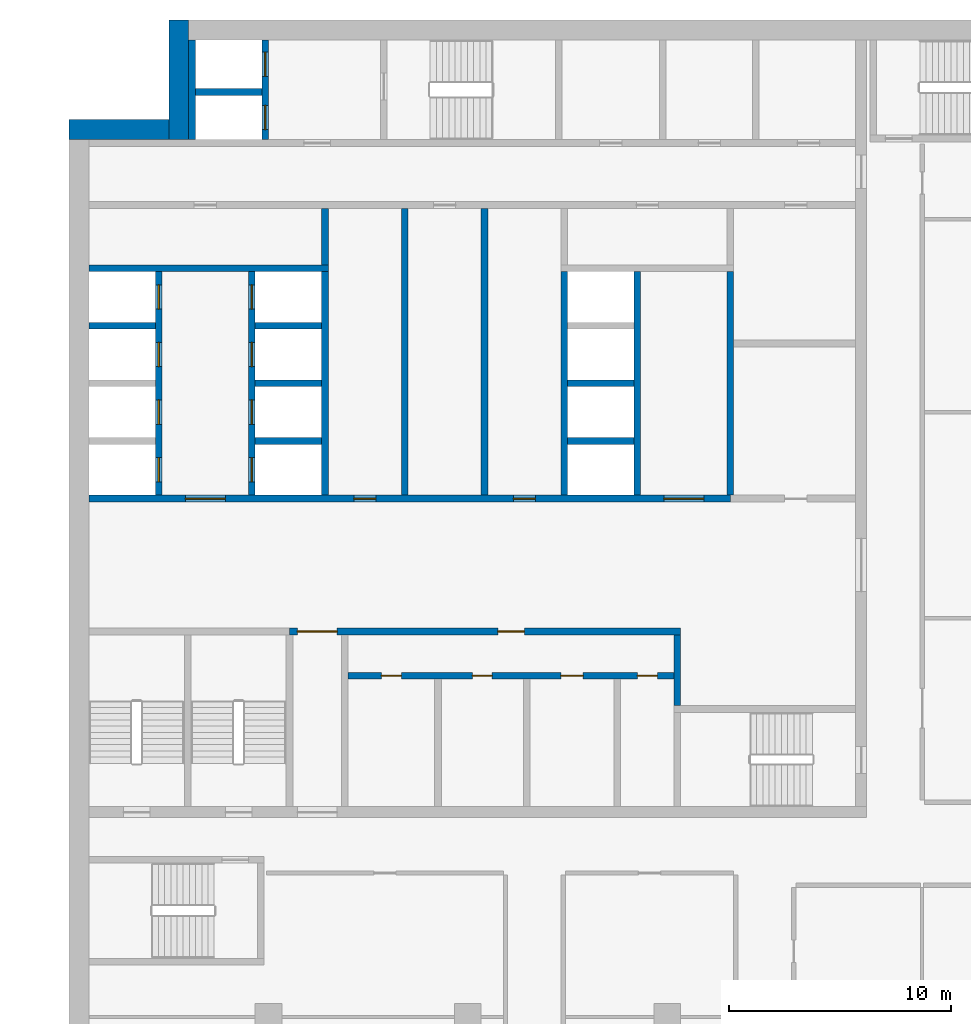
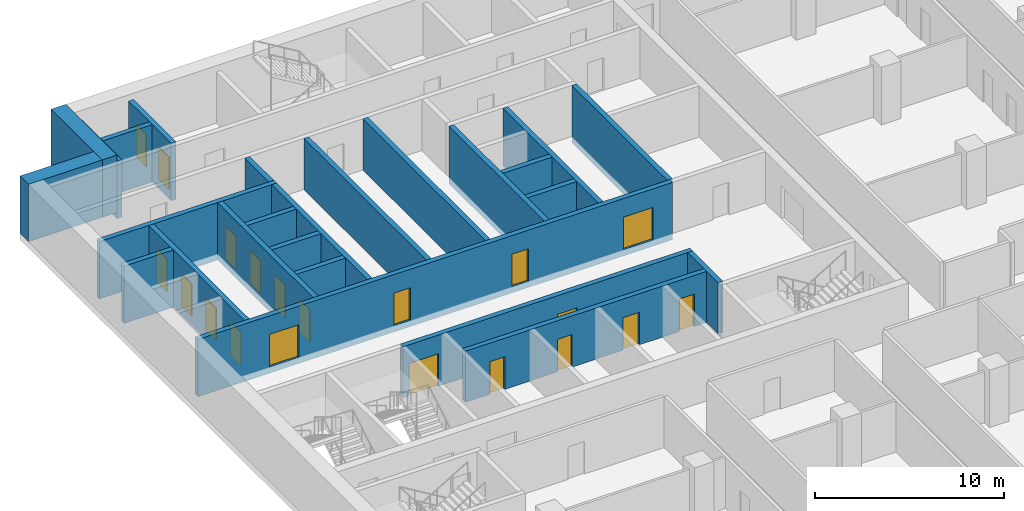
# One storey, part 13 of 23: 25 walls, 20 doors, 20 openings.
"""IFC4 building model written with IfcOpenShell, lengths in metres."""

from ifc_helpers import new_model, si_unit, direction, frame, frame_2d, origin, place, context, subcontext, project, spatial, rectangle, extrude, material, layer, layer_set, type_object, element, fill, save


model = new_model("IFC4")

# Units and contexts
model_context = context("Model", 3, precision=1e-05, world=origin(), true_north=direction((0.0, 1.0)))
body_context = subcontext(model_context, "Body", "Model", "MODEL_VIEW")
ifc_project = project(units=[si_unit("LENGTHUNIT", "METRE"), si_unit("AREAUNIT", "SQUARE_METRE"), si_unit("VOLUMEUNIT", "CUBIC_METRE"), si_unit("PLANEANGLEUNIT", "RADIAN"), si_unit("MASSUNIT", "GRAM", prefix="KILO")], contexts=[model_context])

# Site, building, storey
site_placement = place(None, origin())
site = spatial("IfcSite", under=ifc_project, at=site_placement, CompositionType="ELEMENT")
building_placement = place(site_placement, origin())
building = spatial("IfcBuilding", under=site, at=building_placement, Name="Hunhe Ridgeline Campus", CompositionType="ELEMENT")
storey_placement = place(building_placement, frame((0.0, 0.0, 144.89990234375)))
storey = spatial("IfcBuildingStorey", under=building, at=storey_placement, Name="L36", CompositionType="ELEMENT", Elevation=144.89990234375)

# Wall, openings, doors
ifc_material_1 = material(Name="Masonry concrete blockwork", Category="masonry")
ifc_layer_1 = layer(ifc_material_1, 0.300048828125)
ifc_layer_set_1 = layer_set([ifc_layer_1], Name="Core room partition 300 concrete block")
wall_type_1 = type_object("IfcWallType", Name="Core room partition 300 concrete block", PredefinedType="PARTITIONING", material=ifc_layer_set_1)
wall_1_placement = place(storey_placement, frame((12.60009765625, 69.39990234375, 0.0), z_axis=(0.0, 0.0, 1.0), x_axis=(1.0, 0.0, 0.0)))
wall_1 = element("IfcWall", 1, at=wall_1_placement, inside=storey, type_object=wall_type_1, Name="L36 core partition 9", PredefinedType="PARTITIONING", context=body_context, shape_type="SweptSolid", body=[
    extrude(rectangle(XDim=14.699951171875, YDim=0.300048828125, at=frame_2d((7.35009765625, 0.0))), origin(), (0.0, 0.0, 1.0), 3.300048828125),
])
opening_1_placement = place(wall_1_placement, frame((1.5, 0.0, 0.0)))
opening_1 = element("IfcOpeningElement", 2, at=opening_1_placement, cuts=wall_1, Name="Opening CD8", PredefinedType="OPENING", context=body_context, shape_type="SweptSolid", body=[
    extrude(rectangle(XDim=0.89990234375, YDim=2.10009765625, at=frame_2d((0.449951171875, 1.050048828125))), frame((0.0, 0.14990234375, 0.0), z_axis=(0.0, -1.0, 0.0), x_axis=(1.0, 0.0, 0.0)), (0.0, 0.0, 1.0), 0.300048828125),
])
opening_2_placement = place(wall_1_placement, frame((5.60009765625, 0.0, 0.0)))
opening_2 = element("IfcOpeningElement", 3, at=opening_2_placement, cuts=wall_1, Name="Opening CD9", PredefinedType="OPENING", context=body_context, shape_type="SweptSolid", body=[
    extrude(rectangle(XDim=0.89990234375, YDim=2.10009765625, at=frame_2d((0.449951171875, 1.050048828125))), frame((0.0, 0.14990234375, 0.0), z_axis=(0.0, -1.0, 0.0), x_axis=(1.0, 0.0, 0.0)), (0.0, 0.0, 1.0), 0.300048828125),
])
opening_3_placement = place(wall_1_placement, frame((9.60009765625, 0.0, 0.0)))
opening_3 = element("IfcOpeningElement", 4, at=opening_3_placement, cuts=wall_1, Name="Opening CD10", PredefinedType="OPENING", context=body_context, shape_type="SweptSolid", body=[
    extrude(rectangle(XDim=1.0, YDim=2.10009765625, at=frame_2d((0.5, 1.050048828125))), frame((0.0, 0.14990234375, 0.0), z_axis=(0.0, -1.0, 0.0), x_axis=(1.0, 0.0, 0.0)), (0.0, 0.0, 1.0), 0.300048828125),
])
opening_4_placement = place(wall_1_placement, frame((13.050048828125, 0.0, 0.0)))
opening_4 = element("IfcOpeningElement", 5, at=opening_4_placement, cuts=wall_1, Name="Opening CD11", PredefinedType="OPENING", context=body_context, shape_type="SweptSolid", body=[
    extrude(rectangle(XDim=0.89990234375, YDim=2.10009765625, at=frame_2d((0.449951171875, 1.050048828125))), frame((0.0, 0.14990234375, 0.0), z_axis=(0.0, -1.0, 0.0), x_axis=(1.0, 0.0, 0.0)), (0.0, 0.0, 1.0), 0.300048828125),
])
ifc_material_2 = material(Name="Solid core timber door leaf", Category="wood")
door_type_1 = type_object("IfcDoorType", Name="Timber door 1000x2100", OperationType="SINGLE_SWING_LEFT", PredefinedType="DOOR", material=ifc_material_2)
door_1_placement = place(opening_3_placement, frame((1.0, 0.0, 0.0), z_axis=(0.0, 0.0, 1.0), x_axis=(-1.0, 0.0, 0.0)))
door_1 = element("IfcDoor", 6, at=door_1_placement, inside=storey, type_object=door_type_1, Name="L36 door WC3", OperationType="SINGLE_SWING_RIGHT", OverallHeight=2.10009765625, OverallWidth=1.0, PredefinedType="DOOR", context=body_context, shape_type="SweptSolid", body=[
    extrude(rectangle(XDim=1.0, YDim=2.10009765625, at=frame_2d((0.5, 1.050048828125))), frame((0.0, 0.02490234375, 0.0), z_axis=(0.0, -1.0, 0.0), x_axis=(1.0, 0.0, 0.0)), (0.0, 0.0, 1.0), 0.050048828125),
])
fill(opening_3, door_1)
door_type_2 = type_object("IfcDoorType", Name="Timber door 900x2100", OperationType="SINGLE_SWING_LEFT", PredefinedType="DOOR", material=ifc_material_2)
door_2_placement = place(opening_1_placement, frame((0.89990234375, 0.0, 0.0), z_axis=(0.0, 0.0, 1.0), x_axis=(-1.0, 0.0, 0.0)))
door_2 = element("IfcDoor", 7, at=door_2_placement, inside=storey, type_object=door_type_2, Name="L36 door WC1", OperationType="SINGLE_SWING_RIGHT", OverallHeight=2.10009765625, OverallWidth=0.89990234375, PredefinedType="DOOR", context=body_context, shape_type="SweptSolid", body=[
    extrude(rectangle(XDim=0.89990234375, YDim=2.10009765625, at=frame_2d((0.449951171875, 1.050048828125))), frame((0.0, 0.02490234375, 0.0), z_axis=(0.0, -1.0, 0.0), x_axis=(1.0, 0.0, 0.0)), (0.0, 0.0, 1.0), 0.050048828125),
])
fill(opening_1, door_2)
door_3_placement = place(opening_2_placement, frame((0.89990234375, 0.0, 0.0), z_axis=(0.0, 0.0, 1.0), x_axis=(-1.0, 0.0, 0.0)))
door_3 = element("IfcDoor", 8, at=door_3_placement, inside=storey, type_object=door_type_2, Name="L36 door WC2", OperationType="SINGLE_SWING_LEFT", OverallHeight=2.10009765625, OverallWidth=0.89990234375, PredefinedType="DOOR", context=body_context, shape_type="SweptSolid", body=[
    extrude(rectangle(XDim=0.89990234375, YDim=2.10009765625, at=frame_2d((0.449951171875, 1.050048828125))), frame((0.0, 0.02490234375, 0.0), z_axis=(0.0, -1.0, 0.0), x_axis=(1.0, 0.0, 0.0)), (0.0, 0.0, 1.0), 0.050048828125),
])
fill(opening_2, door_3)
door_4_placement = place(opening_4_placement, frame((0.89990234375, 0.0, 0.0), z_axis=(0.0, 0.0, 1.0), x_axis=(-1.0, 0.0, 0.0)))
door_4 = element("IfcDoor", 9, at=door_4_placement, inside=storey, type_object=door_type_2, Name="L36 door WC4", OperationType="SINGLE_SWING_LEFT", OverallHeight=2.10009765625, OverallWidth=0.89990234375, PredefinedType="DOOR", context=body_context, shape_type="SweptSolid", body=[
    extrude(rectangle(XDim=0.89990234375, YDim=2.10009765625, at=frame_2d((0.449951171875, 1.050048828125))), frame((0.0, 0.02490234375, 0.0), z_axis=(0.0, -1.0, 0.0), x_axis=(1.0, 0.0, 0.0)), (0.0, 0.0, 1.0), 0.050048828125),
])
fill(opening_4, door_4)

wall_2_placement = place(storey_placement, frame((9.949951171875, 71.39990234375, 0.0), z_axis=(0.0, 0.0, 1.0), x_axis=(1.0, 0.0, 0.0)))
wall_2 = element("IfcWall", 10, at=wall_2_placement, inside=storey, type_object=wall_type_1, Name="L36 core partition 11", PredefinedType="PARTITIONING", context=body_context, shape_type="SweptSolid", body=[
    extrude(rectangle(XDim=17.650146484375, YDim=0.300048828125, at=frame_2d((8.8251953125, 0.0))), origin(), (0.0, 0.0, 1.0), 3.300048828125),
])
opening_5_placement = place(wall_2_placement, frame((0.35009765625, 0.0, 0.0)))
opening_5 = element("IfcOpeningElement", 11, at=opening_5_placement, cuts=wall_2, Name="Opening CD7", PredefinedType="OPENING", context=body_context, shape_type="SweptSolid", body=[
    extrude(rectangle(XDim=1.800048828125, YDim=2.10009765625, at=frame_2d((0.89990234375, 1.050048828125))), frame((0.0, 0.14990234375, 0.0), z_axis=(0.0, -1.0, 0.0), x_axis=(1.0, 0.0, 0.0)), (0.0, 0.0, 1.0), 0.300048828125),
])
opening_6_placement = place(wall_2_placement, frame((9.39990234375, 0.0, 0.0)))
opening_6 = element("IfcOpeningElement", 12, at=opening_6_placement, cuts=wall_2, Name="Opening CD12", PredefinedType="OPENING", context=body_context, shape_type="SweptSolid", body=[
    extrude(rectangle(XDim=1.199951171875, YDim=2.10009765625, at=frame_2d((0.60009765625, 1.050048828125))), frame((0.0, 0.14990234375, 0.0), z_axis=(0.0, -1.0, 0.0), x_axis=(1.0, 0.0, 0.0)), (0.0, 0.0, 1.0), 0.300048828125),
])
ifc_material_3 = material(Name="Anodised aluminium and glass", Category="aluminium")
door_type_3 = type_object("IfcDoorType", Name="Glazed double door 1800x2100", OperationType="DOUBLE_DOOR_SINGLE_SWING", PredefinedType="DOOR", material=ifc_material_3)
door_5_placement = place(opening_5_placement, origin())
door_5 = element("IfcDoor", 13, at=door_5_placement, inside=storey, type_object=door_type_3, Name="L36 door VEST-HALL", OperationType="DOUBLE_DOOR_SINGLE_SWING", OverallHeight=2.10009765625, OverallWidth=1.800048828125, PredefinedType="DOOR", context=body_context, shape_type="SweptSolid", body=[
    extrude(rectangle(XDim=1.800048828125, YDim=2.10009765625, at=frame_2d((0.89990234375, 1.050048828125))), frame((0.0, 0.02490234375, 0.0), z_axis=(0.0, -1.0, 0.0), x_axis=(1.0, 0.0, 0.0)), (0.0, 0.0, 1.0), 0.050048828125),
])
fill(opening_5, door_5)
door_type_4 = type_object("IfcDoorType", Name="Timber door 1200x2100", OperationType="SINGLE_SWING_LEFT", PredefinedType="DOOR", material=ifc_material_2)
door_6_placement = place(opening_6_placement, origin())
door_6 = element("IfcDoor", 14, at=door_6_placement, inside=storey, type_object=door_type_4, Name="L36 door WCL2-HALL", OperationType="SINGLE_SWING_LEFT", OverallHeight=2.10009765625, OverallWidth=1.199951171875, PredefinedType="DOOR", context=body_context, shape_type="SweptSolid", body=[
    extrude(rectangle(XDim=1.199951171875, YDim=2.10009765625, at=frame_2d((0.60009765625, 1.050048828125))), frame((0.0, 0.02490234375, 0.0), z_axis=(0.0, -1.0, 0.0), x_axis=(1.0, 0.0, 0.0)), (0.0, 0.0, 1.0), 0.050048828125),
])
fill(opening_6, door_6)

# Walls
wall_3_placement = place(storey_placement, frame((11.550048828125, 87.949951171875, 0.0), z_axis=(0.0, 0.0, 1.0), x_axis=(0.0, 1.0, 0.0)))
element("IfcWall", 15, at=wall_3_placement, inside=storey, type_object=wall_type_1, Name="L36 core partition 40", PredefinedType="PARTITIONING", context=body_context, shape_type="SweptSolid", body=[
    extrude(rectangle(XDim=2.550048828125, YDim=0.300048828125, at=frame_2d((1.27490234375, 0.0))), origin(), (0.0, 0.0, 1.0), 3.300048828125),
])
for number, where, z_axis, x_axis, name in (
    (16, (15.14990234375, 77.550048828125, 0.0), (0.0, 0.0, 1.0), (0.0, 1.0, 0.0), "L36 core partition 43"),
    (17, (18.75, 77.550048828125, 0.0), (0.0, 0.0, 1.0), (0.0, 1.0, 0.0), "L36 core partition 45"),
):
    element("IfcWall", number, at=place(storey_placement, frame(where, z_axis=z_axis, x_axis=x_axis)), inside=storey, type_object=wall_type_1, Name=name, PredefinedType="PARTITIONING", context=body_context, shape_type="SweptSolid", body=[
        extrude(rectangle(XDim=12.949951171875, YDim=0.300048828125, at=frame_2d((6.47509765625, 0.0))), origin(), (0.0, 0.0, 1.0), 3.300048828125),
    ])
wall_4_placement = place(storey_placement, frame((27.449951171875, 68.050048828125, 0.0), z_axis=(0.0, 0.0, 1.0), x_axis=(0.0, 1.0, 0.0)))
element("IfcWall", 18, at=wall_4_placement, inside=storey, type_object=wall_type_1, Name="L36 core partition 56", PredefinedType="PARTITIONING", context=body_context, shape_type="SweptSolid", body=[
    extrude(rectangle(XDim=3.199951171875, YDim=0.300048828125, at=frame_2d((1.60009765625, 0.0))), origin(), (0.0, 0.0, 1.0), 3.300048828125),
])
ifc_material_4 = material(Name="Concrete C70", Category="concrete")
ifc_layer_2 = layer(ifc_material_4, 0.300048828125)
ifc_layer_set_2 = layer_set([ifc_layer_2], Name="Lobby wall 300 reinforced concrete C70")
wall_type_2 = type_object("IfcWallType", Name="Lobby wall 300 reinforced concrete C70", PredefinedType="SOLIDWALL", material=ifc_layer_set_2)
wall_5_placement = place(storey_placement, frame((29.85009765625, 77.550048828125, -0.39990234375), z_axis=(0.0, 0.0, 1.0), x_axis=(0.0, 1.0, 0.0)))
element("IfcWall", 19, at=wall_5_placement, inside=storey, type_object=wall_type_2, Name="L36 core wall 57", PredefinedType="SOLIDWALL", context=body_context, shape_type="SweptSolid", body=[
    extrude(rectangle(XDim=10.099853515625, YDim=0.300048828125, at=frame_2d((5.0498046875, 0.0))), origin(), (0.0, 0.0, 1.0), 3.699951171875),
])

# Wall, openings, doors
ifc_layer_3 = layer(ifc_material_4, 0.300048828125)
ifc_layer_set_3 = layer_set([ifc_layer_3], Name="Shaft wall 300 reinforced concrete C70")
wall_type_3 = type_object("IfcWallType", Name="Shaft wall 300 reinforced concrete C70", PredefinedType="SOLIDWALL", material=ifc_layer_set_3)
wall_6_placement = place(storey_placement, frame((0.89990234375, 77.39990234375, -0.39990234375), z_axis=(0.0, 0.0, 1.0), x_axis=(1.0, 0.0, 0.0)))
wall_6 = element("IfcWall", 20, at=wall_6_placement, inside=storey, type_object=wall_type_3, Name="L36 core wall 12", PredefinedType="SOLIDWALL", context=body_context, shape_type="SweptSolid", body=[
    extrude(rectangle(XDim=28.9501953125, YDim=0.300048828125, at=frame_2d((14.47509765625, 0.0))), origin(), (0.0, 0.0, 1.0), 3.699951171875),
])
opening_7_placement = place(wall_6_placement, frame((4.35009765625, 0.0, 0.39990234375)))
opening_7 = element("IfcOpeningElement", 21, at=opening_7_placement, cuts=wall_6, Name="Opening CD1", PredefinedType="OPENING", context=body_context, shape_type="SweptSolid", body=[
    extrude(rectangle(XDim=1.800048828125, YDim=2.10009765625, at=frame_2d((0.89990234375, 1.050048828125))), frame((0.0, 0.14990234375, 0.0), z_axis=(0.0, -1.0, 0.0), x_axis=(1.0, 0.0, 0.0)), (0.0, 0.0, 1.0), 0.300048828125),
])
opening_8_placement = place(wall_6_placement, frame((25.949951171875, 0.0, 0.39990234375)))
opening_8 = element("IfcOpeningElement", 22, at=opening_8_placement, cuts=wall_6, Name="Opening CD2", PredefinedType="OPENING", context=body_context, shape_type="SweptSolid", body=[
    extrude(rectangle(XDim=1.800048828125, YDim=2.10009765625, at=frame_2d((0.89990234375, 1.050048828125))), frame((0.0, 0.14990234375, 0.0), z_axis=(0.0, -1.0, 0.0), x_axis=(1.0, 0.0, 0.0)), (0.0, 0.0, 1.0), 0.300048828125),
])
opening_9_placement = place(wall_6_placement, frame((11.949951171875, 0.0, 0.39990234375)))
opening_9 = element("IfcOpeningElement", 23, at=opening_9_placement, cuts=wall_6, Name="Opening CD28", PredefinedType="OPENING", context=body_context, shape_type="SweptSolid", body=[
    extrude(rectangle(XDim=1.0, YDim=2.10009765625, at=frame_2d((0.5, 1.050048828125))), frame((0.0, 0.14990234375, 0.0), z_axis=(0.0, -1.0, 0.0), x_axis=(1.0, 0.0, 0.0)), (0.0, 0.0, 1.0), 0.300048828125),
])
opening_10_placement = place(wall_6_placement, frame((19.14990234375, 0.0, 0.39990234375)))
opening_10 = element("IfcOpeningElement", 24, at=opening_10_placement, cuts=wall_6, Name="Opening CD30", PredefinedType="OPENING", context=body_context, shape_type="SweptSolid", body=[
    extrude(rectangle(XDim=1.0, YDim=2.10009765625, at=frame_2d((0.5, 1.050048828125))), frame((0.0, 0.14990234375, 0.0), z_axis=(0.0, -1.0, 0.0), x_axis=(1.0, 0.0, 0.0)), (0.0, 0.0, 1.0), 0.300048828125),
])
ifc_material_5 = material(Name="Hollow metal fire door leaf")
door_type_5 = type_object("IfcDoorType", Name="Lobby door 1800x2100 FD60", OperationType="SINGLE_SWING_LEFT", PredefinedType="DOOR", material=ifc_material_5)
door_7_placement = place(opening_7_placement, frame((1.800048828125, 0.0, 0.0), z_axis=(0.0, 0.0, 1.0), x_axis=(-1.0, 0.0, 0.0)))
door_7 = element("IfcDoor", 25, at=door_7_placement, inside=storey, type_object=door_type_5, Name="L36 door LOB-LR", OperationType="SINGLE_SWING_RIGHT", OverallHeight=2.10009765625, OverallWidth=1.800048828125, PredefinedType="DOOR", context=body_context, shape_type="SweptSolid", body=[
    extrude(rectangle(XDim=1.800048828125, YDim=2.10009765625, at=frame_2d((0.89990234375, 1.050048828125))), frame((0.0, 0.02490234375, 0.0), z_axis=(0.0, -1.0, 0.0), x_axis=(1.0, 0.0, 0.0)), (0.0, 0.0, 1.0), 0.050048828125),
])
fill(opening_7, door_7)
door_8_placement = place(opening_8_placement, frame((1.800048828125, 0.0, 0.0), z_axis=(0.0, 0.0, 1.0), x_axis=(-1.0, 0.0, 0.0)))
door_8 = element("IfcDoor", 26, at=door_8_placement, inside=storey, type_object=door_type_5, Name="L36 door LOB-SH", OperationType="SINGLE_SWING_LEFT", OverallHeight=2.10009765625, OverallWidth=1.800048828125, PredefinedType="DOOR", context=body_context, shape_type="SweptSolid", body=[
    extrude(rectangle(XDim=1.800048828125, YDim=2.10009765625, at=frame_2d((0.89990234375, 1.050048828125))), frame((0.0, 0.02490234375, 0.0), z_axis=(0.0, -1.0, 0.0), x_axis=(1.0, 0.0, 0.0)), (0.0, 0.0, 1.0), 0.050048828125),
])
fill(opening_8, door_8)
door_9_placement = place(opening_9_placement, origin())
door_9 = element("IfcDoor", 27, at=door_9_placement, inside=storey, type_object=door_type_1, Name="L36 door VD-HR0", OperationType="SINGLE_SWING_RIGHT", OverallHeight=2.10009765625, OverallWidth=1.0, PredefinedType="DOOR", context=body_context, shape_type="SweptSolid", body=[
    extrude(rectangle(XDim=1.0, YDim=2.10009765625, at=frame_2d((0.5, 1.050048828125))), frame((0.0, 0.02490234375, 0.0), z_axis=(0.0, -1.0, 0.0), x_axis=(1.0, 0.0, 0.0)), (0.0, 0.0, 1.0), 0.050048828125),
])
fill(opening_9, door_9)
door_10_placement = place(opening_10_placement, origin())
door_10 = element("IfcDoor", 28, at=door_10_placement, inside=storey, type_object=door_type_1, Name="L36 door VD-HR2", OperationType="SINGLE_SWING_RIGHT", OverallHeight=2.10009765625, OverallWidth=1.0, PredefinedType="DOOR", context=body_context, shape_type="SweptSolid", body=[
    extrude(rectangle(XDim=1.0, YDim=2.10009765625, at=frame_2d((0.5, 1.050048828125))), frame((0.0, 0.02490234375, 0.0), z_axis=(0.0, -1.0, 0.0), x_axis=(1.0, 0.0, 0.0)), (0.0, 0.0, 1.0), 0.050048828125),
])
fill(opening_10, door_10)

# Walls
for number, where, z_axis, x_axis, name in (
    (29, (8.39990234375, 80.0, -0.39990234375), (0.0, 0.0, 1.0), (1.0, 0.0, 0.0), "L36 core wall 15"),
    (30, (22.5, 80.0, -0.39990234375), (0.0, 0.0, 1.0), (1.0, 0.0, 0.0), "L36 core wall 16"),
    (31, (8.39990234375, 82.60009765625, -0.39990234375), (0.0, 0.0, 1.0), (1.0, 0.0, 0.0), "L36 core wall 18"),
    (32, (22.5, 82.60009765625, -0.39990234375), (0.0, 0.0, 1.0), (1.0, 0.0, 0.0), "L36 core wall 19"),
    (33, (0.89990234375, 85.199951171875, -0.39990234375), (0.0, 0.0, 1.0), (1.0, 0.0, 0.0), "L36 core wall 21"),
    (34, (8.39990234375, 85.199951171875, -0.39990234375), (0.0, 0.0, 1.0), (1.0, 0.0, 0.0), "L36 core wall 22"),
):
    element("IfcWall", number, at=place(storey_placement, frame(where, z_axis=z_axis, x_axis=x_axis)), inside=storey, type_object=wall_type_3, Name=name, PredefinedType="SOLIDWALL", context=body_context, shape_type="SweptSolid", body=[
        extrude(rectangle(XDim=3.0, YDim=0.300048828125, at=frame_2d((1.5, 0.0))), origin(), (0.0, 0.0, 1.0), 3.699951171875),
    ])
wall_7_placement = place(storey_placement, frame((0.89990234375, 87.800048828125, -0.39990234375), z_axis=(0.0, 0.0, 1.0), x_axis=(1.0, 0.0, 0.0)))
element("IfcWall", 35, at=wall_7_placement, inside=storey, type_object=wall_type_3, Name="L36 core wall 24", PredefinedType="SOLIDWALL", context=body_context, shape_type="SweptSolid", body=[
    extrude(rectangle(XDim=10.800048828125, YDim=0.300048828125, at=frame_2d((5.39990234375, 0.0))), origin(), (0.0, 0.0, 1.0), 3.699951171875),
])
wall_8_placement = place(storey_placement, frame((5.699951171875, 95.75, -0.39990234375), z_axis=(0.0, 0.0, 1.0), x_axis=(1.0, 0.0, 0.0)))
element("IfcWall", 36, at=wall_8_placement, inside=storey, type_object=wall_type_3, Name="L36 core wall 30", PredefinedType="SOLIDWALL", context=body_context, shape_type="SweptSolid", body=[
    extrude(rectangle(XDim=3.0, YDim=0.300048828125, at=frame_2d((1.5, 0.0))), origin(), (0.0, 0.0, 1.0), 3.699951171875),
])

# Wall, openings, doors
wall_9_placement = place(storey_placement, frame((4.050048828125, 77.550048828125, -0.39990234375), z_axis=(0.0, 0.0, 1.0), x_axis=(0.0, 1.0, 0.0)))
wall_9 = element("IfcWall", 37, at=wall_9_placement, inside=storey, type_object=wall_type_3, Name="L36 core wall 31", PredefinedType="SOLIDWALL", context=body_context, shape_type="SweptSolid", body=[
    extrude(rectangle(XDim=10.099853515625, YDim=0.300048828125, at=frame_2d((5.0498046875, 0.0))), origin(), (0.0, 0.0, 1.0), 3.699951171875),
])
opening_11_placement = place(wall_9_placement, frame((0.60009765625, 0.0, 0.39990234375)))
opening_11 = element("IfcOpeningElement", 38, at=opening_11_placement, cuts=wall_9, Name="Opening LD-LR1", PredefinedType="OPENING", context=body_context, shape_type="SweptSolid", body=[
    extrude(rectangle(XDim=1.10009765625, YDim=2.10009765625, at=frame_2d((0.550048828125, 1.050048828125))), frame((0.0, 0.14990234375, 0.0), z_axis=(0.0, -1.0, 0.0), x_axis=(1.0, 0.0, 0.0)), (0.0, 0.0, 1.0), 0.300048828125),
])
opening_12_placement = place(wall_9_placement, frame((3.199951171875, 0.0, 0.39990234375)))
opening_12 = element("IfcOpeningElement", 39, at=opening_12_placement, cuts=wall_9, Name="Opening LD-LR2", PredefinedType="OPENING", context=body_context, shape_type="SweptSolid", body=[
    extrude(rectangle(XDim=1.10009765625, YDim=2.10009765625, at=frame_2d((0.550048828125, 1.050048828125))), frame((0.0, 0.14990234375, 0.0), z_axis=(0.0, -1.0, 0.0), x_axis=(1.0, 0.0, 0.0)), (0.0, 0.0, 1.0), 0.300048828125),
])
opening_13_placement = place(wall_9_placement, frame((5.800048828125, 0.0, 0.39990234375)))
opening_13 = element("IfcOpeningElement", 40, at=opening_13_placement, cuts=wall_9, Name="Opening LD-LR3", PredefinedType="OPENING", context=body_context, shape_type="SweptSolid", body=[
    extrude(rectangle(XDim=1.10009765625, YDim=2.10009765625, at=frame_2d((0.550048828125, 1.050048828125))), frame((0.0, 0.14990234375, 0.0), z_axis=(0.0, -1.0, 0.0), x_axis=(1.0, 0.0, 0.0)), (0.0, 0.0, 1.0), 0.300048828125),
])
opening_14_placement = place(wall_9_placement, frame((8.39990234375, 0.0, 0.39990234375)))
opening_14 = element("IfcOpeningElement", 41, at=opening_14_placement, cuts=wall_9, Name="Opening LD-LR4", PredefinedType="OPENING", context=body_context, shape_type="SweptSolid", body=[
    extrude(rectangle(XDim=1.10009765625, YDim=2.10009765625, at=frame_2d((0.550048828125, 1.050048828125))), frame((0.0, 0.14990234375, 0.0), z_axis=(0.0, -1.0, 0.0), x_axis=(1.0, 0.0, 0.0)), (0.0, 0.0, 1.0), 0.300048828125),
])
ifc_material_6 = material(Name="Stainless steel sliding leaves", Category="steel")
door_type_6 = type_object("IfcDoorType", Name="Landing door 1100x2100 FD120", OperationType="SLIDING_TO_LEFT", PredefinedType="DOOR", material=ifc_material_6)
door_11_placement = place(opening_11_placement, origin())
door_11 = element("IfcDoor", 42, at=door_11_placement, inside=storey, type_object=door_type_6, Name="L36 landing door LR1", OperationType="SLIDING_TO_RIGHT", OverallHeight=2.10009765625, OverallWidth=1.10009765625, PredefinedType="DOOR", context=body_context, shape_type="SweptSolid", body=[
    extrude(rectangle(XDim=1.10009765625, YDim=2.10009765625, at=frame_2d((0.550048828125, 1.050048828125))), frame((0.0, 0.02490234375, 0.0), z_axis=(0.0, -1.0, 0.0), x_axis=(1.0, 0.0, 0.0)), (0.0, 0.0, 1.0), 0.050048828125),
])
fill(opening_11, door_11)
door_12_placement = place(opening_12_placement, origin())
door_12 = element("IfcDoor", 43, at=door_12_placement, inside=storey, type_object=door_type_6, Name="L36 landing door LR2", OperationType="SLIDING_TO_LEFT", OverallHeight=2.10009765625, OverallWidth=1.10009765625, PredefinedType="DOOR", context=body_context, shape_type="SweptSolid", body=[
    extrude(rectangle(XDim=1.10009765625, YDim=2.10009765625, at=frame_2d((0.550048828125, 1.050048828125))), frame((0.0, 0.02490234375, 0.0), z_axis=(0.0, -1.0, 0.0), x_axis=(1.0, 0.0, 0.0)), (0.0, 0.0, 1.0), 0.050048828125),
])
fill(opening_12, door_12)
door_13_placement = place(opening_13_placement, origin())
door_13 = element("IfcDoor", 44, at=door_13_placement, inside=storey, type_object=door_type_6, Name="L36 landing door LR3", OperationType="SLIDING_TO_RIGHT", OverallHeight=2.10009765625, OverallWidth=1.10009765625, PredefinedType="DOOR", context=body_context, shape_type="SweptSolid", body=[
    extrude(rectangle(XDim=1.10009765625, YDim=2.10009765625, at=frame_2d((0.550048828125, 1.050048828125))), frame((0.0, 0.02490234375, 0.0), z_axis=(0.0, -1.0, 0.0), x_axis=(1.0, 0.0, 0.0)), (0.0, 0.0, 1.0), 0.050048828125),
])
fill(opening_13, door_13)
door_14_placement = place(opening_14_placement, origin())
door_14 = element("IfcDoor", 45, at=door_14_placement, inside=storey, type_object=door_type_6, Name="L36 landing door LR4", OperationType="SLIDING_TO_LEFT", OverallHeight=2.10009765625, OverallWidth=1.10009765625, PredefinedType="DOOR", context=body_context, shape_type="SweptSolid", body=[
    extrude(rectangle(XDim=1.10009765625, YDim=2.10009765625, at=frame_2d((0.550048828125, 1.050048828125))), frame((0.0, 0.02490234375, 0.0), z_axis=(0.0, -1.0, 0.0), x_axis=(1.0, 0.0, 0.0)), (0.0, 0.0, 1.0), 0.050048828125),
])
fill(opening_14, door_14)

# Wall
wall_10_placement = place(storey_placement, frame((5.550048828125, 93.60009765625, -0.39990234375), z_axis=(0.0, 0.0, 1.0), x_axis=(0.0, 1.0, 0.0)))
element("IfcWall", 46, at=wall_10_placement, inside=storey, type_object=wall_type_3, Name="L36 core wall 33", PredefinedType="SOLIDWALL", context=body_context, shape_type="SweptSolid", body=[
    extrude(rectangle(XDim=4.5, YDim=0.300048828125, at=frame_2d((2.25, 0.0))), origin(), (0.0, 0.0, 1.0), 3.699951171875),
])

# Wall, openings, doors
wall_11_placement = place(storey_placement, frame((8.25, 77.550048828125, -0.39990234375), z_axis=(0.0, 0.0, 1.0), x_axis=(0.0, 1.0, 0.0)))
wall_11 = element("IfcWall", 47, at=wall_11_placement, inside=storey, type_object=wall_type_3, Name="L36 core wall 34", PredefinedType="SOLIDWALL", context=body_context, shape_type="SweptSolid", body=[
    extrude(rectangle(XDim=10.099853515625, YDim=0.300048828125, at=frame_2d((5.0498046875, 0.0))), origin(), (0.0, 0.0, 1.0), 3.699951171875),
])
opening_15_placement = place(wall_11_placement, frame((0.60009765625, 0.0, 0.39990234375)))
opening_15 = element("IfcOpeningElement", 48, at=opening_15_placement, cuts=wall_11, Name="Opening LD-LR5", PredefinedType="OPENING", context=body_context, shape_type="SweptSolid", body=[
    extrude(rectangle(XDim=1.10009765625, YDim=2.10009765625, at=frame_2d((0.550048828125, 1.050048828125))), frame((0.0, 0.14990234375, 0.0), z_axis=(0.0, -1.0, 0.0), x_axis=(1.0, 0.0, 0.0)), (0.0, 0.0, 1.0), 0.300048828125),
])
opening_16_placement = place(wall_11_placement, frame((3.199951171875, 0.0, 0.39990234375)))
opening_16 = element("IfcOpeningElement", 49, at=opening_16_placement, cuts=wall_11, Name="Opening LD-LR6", PredefinedType="OPENING", context=body_context, shape_type="SweptSolid", body=[
    extrude(rectangle(XDim=1.10009765625, YDim=2.10009765625, at=frame_2d((0.550048828125, 1.050048828125))), frame((0.0, 0.14990234375, 0.0), z_axis=(0.0, -1.0, 0.0), x_axis=(1.0, 0.0, 0.0)), (0.0, 0.0, 1.0), 0.300048828125),
])
opening_17_placement = place(wall_11_placement, frame((5.800048828125, 0.0, 0.39990234375)))
opening_17 = element("IfcOpeningElement", 50, at=opening_17_placement, cuts=wall_11, Name="Opening LD-LR7", PredefinedType="OPENING", context=body_context, shape_type="SweptSolid", body=[
    extrude(rectangle(XDim=1.10009765625, YDim=2.10009765625, at=frame_2d((0.550048828125, 1.050048828125))), frame((0.0, 0.14990234375, 0.0), z_axis=(0.0, -1.0, 0.0), x_axis=(1.0, 0.0, 0.0)), (0.0, 0.0, 1.0), 0.300048828125),
])
opening_18_placement = place(wall_11_placement, frame((8.39990234375, 0.0, 0.39990234375)))
opening_18 = element("IfcOpeningElement", 51, at=opening_18_placement, cuts=wall_11, Name="Opening LD-LR8", PredefinedType="OPENING", context=body_context, shape_type="SweptSolid", body=[
    extrude(rectangle(XDim=1.10009765625, YDim=2.10009765625, at=frame_2d((0.550048828125, 1.050048828125))), frame((0.0, 0.14990234375, 0.0), z_axis=(0.0, -1.0, 0.0), x_axis=(1.0, 0.0, 0.0)), (0.0, 0.0, 1.0), 0.300048828125),
])
door_15_placement = place(opening_15_placement, origin())
door_15 = element("IfcDoor", 52, at=door_15_placement, inside=storey, type_object=door_type_6, Name="L36 landing door LR5", OperationType="SLIDING_TO_RIGHT", OverallHeight=2.10009765625, OverallWidth=1.10009765625, PredefinedType="DOOR", context=body_context, shape_type="SweptSolid", body=[
    extrude(rectangle(XDim=1.10009765625, YDim=2.10009765625, at=frame_2d((0.550048828125, 1.050048828125))), frame((0.0, 0.02490234375, 0.0), z_axis=(0.0, -1.0, 0.0), x_axis=(1.0, 0.0, 0.0)), (0.0, 0.0, 1.0), 0.050048828125),
])
fill(opening_15, door_15)
door_16_placement = place(opening_16_placement, origin())
door_16 = element("IfcDoor", 53, at=door_16_placement, inside=storey, type_object=door_type_6, Name="L36 landing door LR6", OperationType="SLIDING_TO_LEFT", OverallHeight=2.10009765625, OverallWidth=1.10009765625, PredefinedType="DOOR", context=body_context, shape_type="SweptSolid", body=[
    extrude(rectangle(XDim=1.10009765625, YDim=2.10009765625, at=frame_2d((0.550048828125, 1.050048828125))), frame((0.0, 0.02490234375, 0.0), z_axis=(0.0, -1.0, 0.0), x_axis=(1.0, 0.0, 0.0)), (0.0, 0.0, 1.0), 0.050048828125),
])
fill(opening_16, door_16)
door_17_placement = place(opening_17_placement, origin())
door_17 = element("IfcDoor", 54, at=door_17_placement, inside=storey, type_object=door_type_6, Name="L36 landing door LR7", OperationType="SLIDING_TO_RIGHT", OverallHeight=2.10009765625, OverallWidth=1.10009765625, PredefinedType="DOOR", context=body_context, shape_type="SweptSolid", body=[
    extrude(rectangle(XDim=1.10009765625, YDim=2.10009765625, at=frame_2d((0.550048828125, 1.050048828125))), frame((0.0, 0.02490234375, 0.0), z_axis=(0.0, -1.0, 0.0), x_axis=(1.0, 0.0, 0.0)), (0.0, 0.0, 1.0), 0.050048828125),
])
fill(opening_17, door_17)
door_18_placement = place(opening_18_placement, origin())
door_18 = element("IfcDoor", 55, at=door_18_placement, inside=storey, type_object=door_type_6, Name="L36 landing door LR8", OperationType="SLIDING_TO_LEFT", OverallHeight=2.10009765625, OverallWidth=1.10009765625, PredefinedType="DOOR", context=body_context, shape_type="SweptSolid", body=[
    extrude(rectangle(XDim=1.10009765625, YDim=2.10009765625, at=frame_2d((0.550048828125, 1.050048828125))), frame((0.0, 0.02490234375, 0.0), z_axis=(0.0, -1.0, 0.0), x_axis=(1.0, 0.0, 0.0)), (0.0, 0.0, 1.0), 0.050048828125),
])
fill(opening_18, door_18)

wall_12_placement = place(storey_placement, frame((8.85009765625, 93.60009765625, -0.39990234375), z_axis=(0.0, 0.0, 1.0), x_axis=(0.0, 1.0, 0.0)))
wall_12 = element("IfcWall", 56, at=wall_12_placement, inside=storey, type_object=wall_type_3, Name="L36 core wall 37", PredefinedType="SOLIDWALL", context=body_context, shape_type="SweptSolid", body=[
    extrude(rectangle(XDim=4.5, YDim=0.300048828125, at=frame_2d((2.25, 0.0))), origin(), (0.0, 0.0, 1.0), 3.699951171875),
])
opening_19_placement = place(wall_12_placement, frame((0.449951171875, 0.0, 0.39990234375)))
opening_19 = element("IfcOpeningElement", 57, at=opening_19_placement, cuts=wall_12, Name="Opening LD-FF1", PredefinedType="OPENING", context=body_context, shape_type="SweptSolid", body=[
    extrude(rectangle(XDim=1.10009765625, YDim=2.10009765625, at=frame_2d((0.550048828125, 1.050048828125))), frame((0.0, 0.14990234375, 0.0), z_axis=(0.0, -1.0, 0.0), x_axis=(1.0, 0.0, 0.0)), (0.0, 0.0, 1.0), 0.300048828125),
])
opening_20_placement = place(wall_12_placement, frame((2.85009765625, 0.0, 0.39990234375)))
opening_20 = element("IfcOpeningElement", 58, at=opening_20_placement, cuts=wall_12, Name="Opening LD-FF2", PredefinedType="OPENING", context=body_context, shape_type="SweptSolid", body=[
    extrude(rectangle(XDim=1.10009765625, YDim=2.10009765625, at=frame_2d((0.550048828125, 1.050048828125))), frame((0.0, 0.14990234375, 0.0), z_axis=(0.0, -1.0, 0.0), x_axis=(1.0, 0.0, 0.0)), (0.0, 0.0, 1.0), 0.300048828125),
])
door_19_placement = place(opening_19_placement, origin())
door_19 = element("IfcDoor", 59, at=door_19_placement, inside=storey, type_object=door_type_6, Name="L36 landing door FF1", OperationType="SLIDING_TO_RIGHT", OverallHeight=2.10009765625, OverallWidth=1.10009765625, PredefinedType="DOOR", context=body_context, shape_type="SweptSolid", body=[
    extrude(rectangle(XDim=1.10009765625, YDim=2.10009765625, at=frame_2d((0.550048828125, 1.050048828125))), frame((0.0, 0.02490234375, 0.0), z_axis=(0.0, -1.0, 0.0), x_axis=(1.0, 0.0, 0.0)), (0.0, 0.0, 1.0), 0.050048828125),
])
fill(opening_19, door_19)
door_20_placement = place(opening_20_placement, origin())
door_20 = element("IfcDoor", 60, at=door_20_placement, inside=storey, type_object=door_type_6, Name="L36 landing door FF2", OperationType="SLIDING_TO_LEFT", OverallHeight=2.10009765625, OverallWidth=1.10009765625, PredefinedType="DOOR", context=body_context, shape_type="SweptSolid", body=[
    extrude(rectangle(XDim=1.10009765625, YDim=2.10009765625, at=frame_2d((0.550048828125, 1.050048828125))), frame((0.0, 0.02490234375, 0.0), z_axis=(0.0, -1.0, 0.0), x_axis=(1.0, 0.0, 0.0)), (0.0, 0.0, 1.0), 0.050048828125),
])
fill(opening_20, door_20)

# Walls
for number, where, z_axis, x_axis, name in (
    (61, (11.550048828125, 77.550048828125, -0.39990234375), (0.0, 0.0, 1.0), (0.0, 1.0, 0.0), "L36 core wall 39"),
    (62, (22.35009765625, 77.550048828125, -0.39990234375), (0.0, 0.0, 1.0), (0.0, 1.0, 0.0), "L36 core wall 49"),
    (63, (25.64990234375, 77.550048828125, -0.39990234375), (0.0, 0.0, 1.0), (0.0, 1.0, 0.0), "L36 core wall 53"),
):
    element("IfcWall", number, at=place(storey_placement, frame(where, z_axis=z_axis, x_axis=x_axis)), inside=storey, type_object=wall_type_3, Name=name, PredefinedType="SOLIDWALL", context=body_context, shape_type="SweptSolid", body=[
        extrude(rectangle(XDim=10.099853515625, YDim=0.300048828125, at=frame_2d((5.0498046875, 0.0))), origin(), (0.0, 0.0, 1.0), 3.699951171875),
    ])
ifc_layer_4 = layer(ifc_material_4, 0.89990234375)
ifc_layer_set_4 = layer_set([ifc_layer_4], Name="Spine wall 900 Concrete C70")
wall_type_4 = type_object("IfcWallType", Name="Spine wall 900 Concrete C70", PredefinedType="SHEAR", material=ifc_layer_set_4)
for number, where, z_axis, x_axis, name in (
    (64, (4.949951171875, 99.0, 0.0), (0.0, 0.0, 1.0), (0.0, -1.0, 0.0), "Spine wall SW2-5 L36"),
    (65, (5.400146484375, 94.050048828125, 0.0), (0.0, 0.0, 1.0), (-1.0, 0.0, 0.0), "Spine wall SW2-6 L36"),
):
    element("IfcWall", number, at=place(storey_placement, frame(where, z_axis=z_axis, x_axis=x_axis)), inside=storey, type_object=wall_type_4, Name=name, PredefinedType="SHEAR", context=body_context, shape_type="SweptSolid", body=[
        extrude(rectangle(XDim=5.400146484375, YDim=0.89990234375, at=frame_2d((2.7001953125, 0.0))), origin(), (0.0, 0.0, 1.0), 3.7001953125),
    ])

save(model, "model.ifc")
